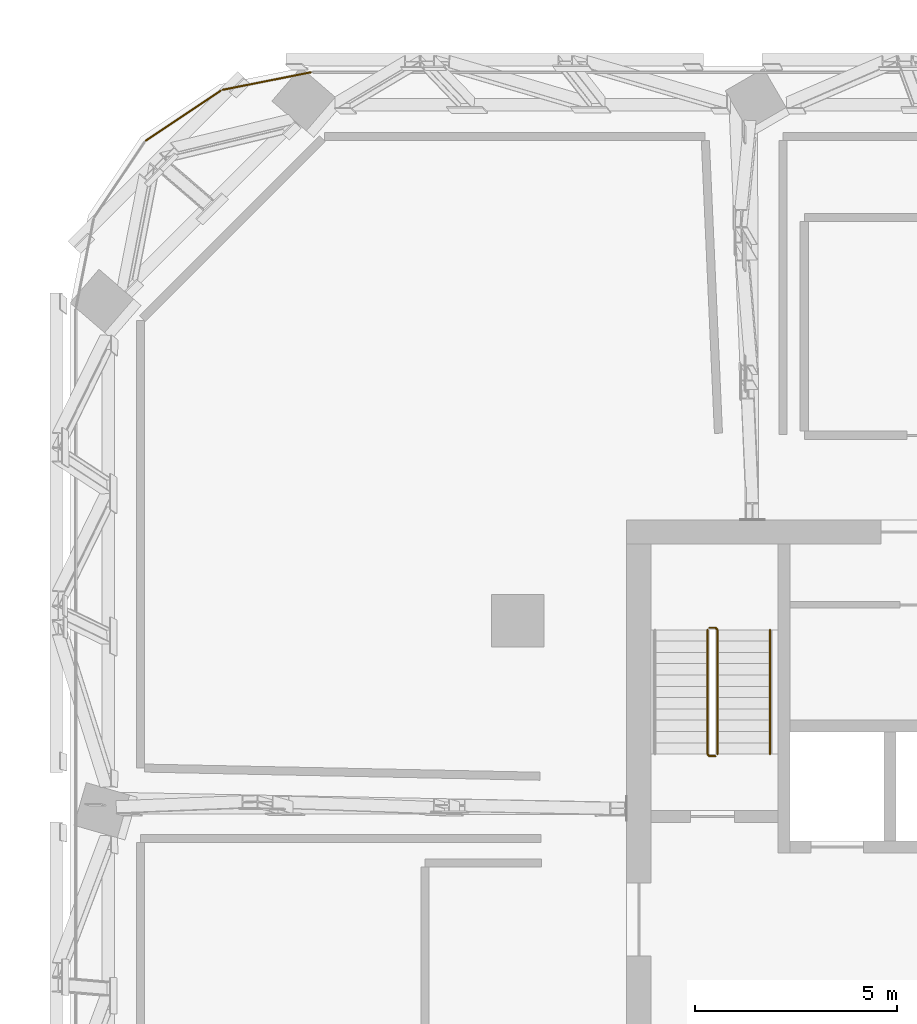
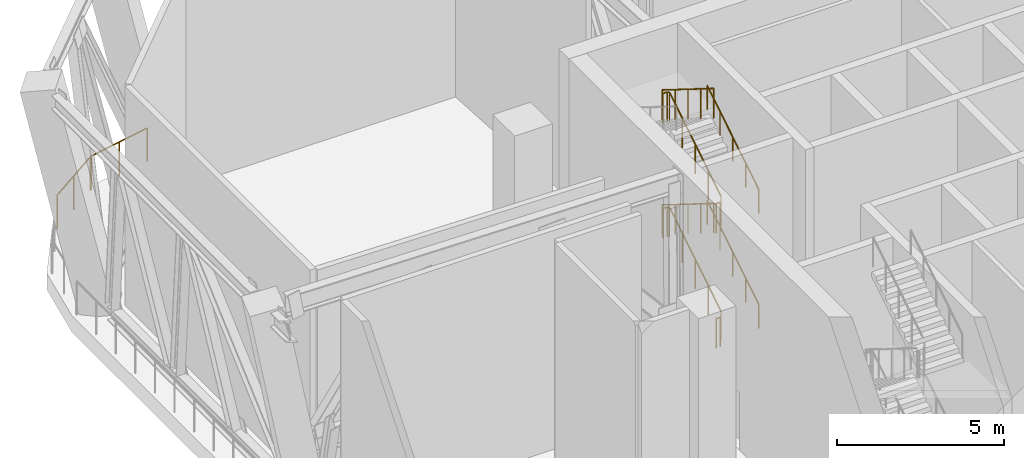
# One storey, part 22 of 24: 9 railings.
"""IFC4 building model written with IfcOpenShell, lengths in metres."""

from ifc_helpers import new_model, si_unit, direction, frame, origin, origin_2d, place, context, subcontext, project, spatial, circle, extrude, material, type_object, element, save


model = new_model("IFC4")

# Units and contexts
model_context = context("Model", 3, precision=1e-05, world=origin(), true_north=direction((0.0, 1.0)))
body_context = subcontext(model_context, "Body", "Model", "MODEL_VIEW")
ifc_project = project(units=[si_unit("LENGTHUNIT", "METRE"), si_unit("AREAUNIT", "SQUARE_METRE"), si_unit("VOLUMEUNIT", "CUBIC_METRE"), si_unit("PLANEANGLEUNIT", "RADIAN"), si_unit("MASSUNIT", "GRAM", prefix="KILO")], contexts=[model_context])

# Site, building, storey
site_placement = place(None, origin())
site = spatial("IfcSite", under=ifc_project, at=site_placement, CompositionType="ELEMENT")
building_placement = place(site_placement, origin())
building = spatial("IfcBuilding", under=site, at=building_placement, Name="Mopane Tessera Tower", CompositionType="ELEMENT")
storey_placement = place(building_placement, frame((0.0, 0.0, 259.0)))
storey = spatial("IfcBuildingStorey", under=building, at=storey_placement, Name="L56", CompositionType="ELEMENT", Elevation=259.0)

# Railings
ifc_material_1 = material(Name="Powder-coated steel balustrade", Category="steel")
railing_type_1 = type_object("IfcRailingType", Name="Escape stair guard 1100 mm", PredefinedType="GUARDRAIL", material=ifc_material_1)
railing_1_placement = place(storey_placement, frame((-12.14990234375, 7.699951171875, 0.175048828125)))
element("IfcRailing", 1, at=railing_1_placement, inside=storey, type_object=railing_type_1, Name="L56 ST2 stair guard 1", PredefinedType="GUARDRAIL", context=body_context, shape_type="SweptSolid", body=[
    extrude(circle(Radius=0.02392578125, at=origin_2d()), frame((0.0, 0.0, 1.076171875), z_axis=(0.0, 0.847998304005, 0.529998940003), x_axis=(-1.0, 0.0, 0.0)), (0.0, 0.0, 1.0), 3.632080078125),
    extrude(circle(Radius=0.02392578125, at=origin_2d()), frame((0.0, 3.080078125, 3.0009765625), z_axis=(-0.707106781187, 0.707106781187, 0.0), x_axis=(-0.707106781187, -0.707106781187, 0.0)), (0.0, 0.0, 1.0), 0.07080078125),
    extrude(circle(Radius=0.02392578125, at=origin_2d()), frame((-0.050048828125, 3.130126953125, 3.0009765625), z_axis=(-1.0, 0.0, 0.0), x_axis=(0.0, -1.0, 0.0)), (0.0, 0.0, 1.0), 0.150146484375),
    extrude(circle(Radius=0.02099609375, at=origin_2d()), origin(), (0.0, 0.0, 1.0), 1.052001953125),
    extrude(circle(Radius=0.02099609375, at=origin_2d()), frame((0.0, 0.77001953125, 0.481201171875)), (0.0, 0.0, 1.0), 1.052001953125),
    extrude(circle(Radius=0.02099609375, at=origin_2d()), frame((0.0, 1.5400390625, 0.96240234375)), (0.0, 0.0, 1.0), 1.052001953125),
    extrude(circle(Radius=0.02099609375, at=origin_2d()), frame((0.0, 2.31005859375, 1.44384765625)), (0.0, 0.0, 1.0), 1.052001953125),
    extrude(circle(Radius=0.02099609375, at=origin_2d()), frame((0.0, 3.080078125, 1.925048828125)), (0.0, 0.0, 1.0), 1.052001953125),
    extrude(circle(Radius=0.02099609375, at=origin_2d()), frame((-0.050048828125, 3.130126953125, 1.925048828125)), (0.0, 0.0, 1.0), 1.052001953125),
    extrude(circle(Radius=0.02099609375, at=origin_2d()), frame((-0.2001953125, 3.130126953125, 1.925048828125)), (0.0, 0.0, 1.0), 1.052001953125),
])
railing_2_placement = place(storey_placement, frame((-12.39990234375, 10.780029296875, 2.27490234375)))
element("IfcRailing", 2, at=railing_2_placement, inside=storey, type_object=railing_type_1, Name="L56 ST2 stair guard 2", PredefinedType="GUARDRAIL", context=body_context, shape_type="SweptSolid", body=[
    extrude(circle(Radius=0.02392578125, at=origin_2d()), frame((0.0, 0.0, 1.076171875), z_axis=(0.0, -0.847998304005, 0.529998940003), x_axis=(1.0, 0.0, 0.0)), (0.0, 0.0, 1.0), 3.632080078125),
    extrude(circle(Radius=0.02392578125, at=origin_2d()), frame((0.0, -3.080078125, 3.0009765625), z_axis=(0.705375805398, -0.708833529934, 0.0), x_axis=(0.708833529934, 0.705375805398, 0.0)), (0.0, 0.0, 1.0), 0.070556640625),
    extrude(circle(Radius=0.02392578125, at=origin_2d()), frame((0.0498046875, -3.130126953125, 3.0009765625), z_axis=(1.0, 0.0, 0.0), x_axis=(0.0, 1.0, 0.0)), (0.0, 0.0, 1.0), 0.150146484375),
    extrude(circle(Radius=0.02099609375, at=origin_2d()), origin(), (0.0, 0.0, 1.0), 1.052001953125),
    extrude(circle(Radius=0.02099609375, at=origin_2d()), frame((0.0, -0.77001953125, 0.481201171875)), (0.0, 0.0, 1.0), 1.052001953125),
    extrude(circle(Radius=0.02099609375, at=origin_2d()), frame((0.0, -1.5400390625, 0.96240234375)), (0.0, 0.0, 1.0), 1.052001953125),
    extrude(circle(Radius=0.02099609375, at=origin_2d()), frame((0.0, -2.31005859375, 1.44384765625)), (0.0, 0.0, 1.0), 1.052001953125),
    extrude(circle(Radius=0.02099609375, at=origin_2d()), frame((0.0, -3.080078125, 1.925048828125)), (0.0, 0.0, 1.0), 1.052001953125),
    extrude(circle(Radius=0.02099609375, at=origin_2d()), frame((0.0498046875, -3.130126953125, 1.925048828125)), (0.0, 0.0, 1.0), 1.052001953125),
    extrude(circle(Radius=0.02099609375, at=origin_2d()), frame((0.199951171875, -3.130126953125, 1.925048828125)), (0.0, 0.0, 1.0), 1.052001953125),
])
railing_3_placement = place(storey_placement, frame((-12.14990234375, 7.699951171875, 4.375)))
element("IfcRailing", 3, at=railing_3_placement, inside=storey, type_object=railing_type_1, Name="L56 ST2 stair guard 3", PredefinedType="GUARDRAIL", context=body_context, shape_type="SweptSolid", body=[
    extrude(circle(Radius=0.02392578125, at=origin_2d()), frame((0.0, 0.0, 1.076171875), z_axis=(0.0, 0.847998304005, 0.529998940003), x_axis=(-1.0, 0.0, 0.0)), (0.0, 0.0, 1.0), 3.632080078125),
    extrude(circle(Radius=0.02392578125, at=origin_2d()), frame((0.0, 3.080078125, 3.0009765625), z_axis=(-0.707106781187, 0.707106781187, 0.0), x_axis=(-0.707106781187, -0.707106781187, 0.0)), (0.0, 0.0, 1.0), 0.07080078125),
    extrude(circle(Radius=0.02392578125, at=origin_2d()), frame((-0.050048828125, 3.130126953125, 3.0009765625), z_axis=(-1.0, 0.0, 0.0), x_axis=(0.0, -1.0, 0.0)), (0.0, 0.0, 1.0), 0.150146484375),
    extrude(circle(Radius=0.02099609375, at=origin_2d()), origin(), (0.0, 0.0, 1.0), 1.052001953125),
    extrude(circle(Radius=0.02099609375, at=origin_2d()), frame((0.0, 0.77001953125, 0.481201171875)), (0.0, 0.0, 1.0), 1.052001953125),
    extrude(circle(Radius=0.02099609375, at=origin_2d()), frame((0.0, 1.5400390625, 0.96240234375)), (0.0, 0.0, 1.0), 1.052001953125),
    extrude(circle(Radius=0.02099609375, at=origin_2d()), frame((0.0, 2.31005859375, 1.44384765625)), (0.0, 0.0, 1.0), 1.052001953125),
    extrude(circle(Radius=0.02099609375, at=origin_2d()), frame((0.0, 3.080078125, 1.925048828125)), (0.0, 0.0, 1.0), 1.052001953125),
    extrude(circle(Radius=0.02099609375, at=origin_2d()), frame((-0.050048828125, 3.130126953125, 1.925048828125)), (0.0, 0.0, 1.0), 1.052001953125),
    extrude(circle(Radius=0.02099609375, at=origin_2d()), frame((-0.2001953125, 3.130126953125, 1.925048828125)), (0.0, 0.0, 1.0), 1.052001953125),
])
railing_4_placement = place(storey_placement, frame((-12.39990234375, 10.780029296875, 6.47509765625)))
element("IfcRailing", 4, at=railing_4_placement, inside=storey, type_object=railing_type_1, Name="L56 ST2 stair guard 4", PredefinedType="GUARDRAIL", context=body_context, shape_type="SweptSolid", body=[
    extrude(circle(Radius=0.02392578125, at=origin_2d()), frame((0.0, 0.0, 1.076171875), z_axis=(0.0, -0.848028513186, 0.529950602248), x_axis=(1.0, 0.0, 0.0)), (0.0, 0.0, 1.0), 3.632080078125),
    extrude(circle(Radius=0.02099609375, at=origin_2d()), origin(), (0.0, 0.0, 1.0), 1.052001953125),
    extrude(circle(Radius=0.02099609375, at=origin_2d()), frame((0.0, -0.77001953125, 0.481201171875)), (0.0, 0.0, 1.0), 1.052001953125),
    extrude(circle(Radius=0.02099609375, at=origin_2d()), frame((0.0, -1.5400390625, 0.96240234375)), (0.0, 0.0, 1.0), 1.052001953125),
    extrude(circle(Radius=0.02099609375, at=origin_2d()), frame((0.0, -2.31005859375, 1.443603515625)), (0.0, 0.0, 1.0), 1.052001953125),
    extrude(circle(Radius=0.02099609375, at=origin_2d()), frame((0.0, -3.080078125, 1.9248046875)), (0.0, 0.0, 1.0), 1.052001953125),
])
railing_5_placement = place(storey_placement, frame((-12.199951171875, 7.64990234375, 0.0)))
element("IfcRailing", 5, at=railing_5_placement, inside=storey, type_object=railing_type_1, Name="L56 ST2 stair guard 5", PredefinedType="GUARDRAIL", context=body_context, shape_type="SweptSolid", body=[
    extrude(circle(Radius=0.02392578125, at=origin_2d()), frame((0.0, 0.0, 1.076171875), z_axis=(-1.0, 0.0, 0.0), x_axis=(0.0, -1.0, 0.0)), (0.0, 0.0, 1.0), 0.150146484375),
    extrude(circle(Radius=0.02099609375, at=origin_2d()), origin(), (0.0, 0.0, 1.0), 1.052001953125),
    extrude(circle(Radius=0.02099609375, at=origin_2d()), frame((-0.150146484375, 0.0, 0.0)), (0.0, 0.0, 1.0), 1.052001953125),
])
ifc_material_2 = material(Name="Powder-coated steel balustrade", Category="steel")
railing_type_2 = type_object("IfcRailingType", Name="Escape stair handrail 900 mm", PredefinedType="HANDRAIL", material=ifc_material_2)
for number, where, name in (
    (6, (-10.85009765625, 7.699951171875, 0.175048828125), "L56 ST2 stair handrail 1"),
    (7, (-10.85009765625, 7.699951171875, 4.375), "L56 ST2 stair handrail 3"),
):
    element("IfcRailing", number, at=place(storey_placement, frame(where)), inside=storey, type_object=railing_type_2, Name=name, PredefinedType="HANDRAIL", context=body_context, shape_type="SweptSolid", body=[
        extrude(circle(Radius=0.02392578125, at=origin_2d()), frame((0.0, 0.0, 0.8759765625), z_axis=(0.0, 0.847998304005, 0.529998940003), x_axis=(-1.0, 0.0, 0.0)), (0.0, 0.0, 1.0), 3.632080078125),
        extrude(circle(Radius=0.02099609375, at=origin_2d()), origin(), (0.0, 0.0, 1.0), 0.851806640625),
        extrude(circle(Radius=0.02099609375, at=origin_2d()), frame((0.0, 0.77001953125, 0.481201171875)), (0.0, 0.0, 1.0), 0.851806640625),
        extrude(circle(Radius=0.02099609375, at=origin_2d()), frame((0.0, 1.5400390625, 0.96240234375)), (0.0, 0.0, 1.0), 0.851806640625),
        extrude(circle(Radius=0.02099609375, at=origin_2d()), frame((0.0, 2.31005859375, 1.44384765625)), (0.0, 0.0, 1.0), 0.851806640625),
        extrude(circle(Radius=0.02099609375, at=origin_2d()), frame((0.0, 3.080078125, 1.925048828125)), (0.0, 0.0, 1.0), 0.851806640625),
    ])
ifc_material_3 = material(Name="Stainless steel S316", Category="steel")
railing_type_3 = type_object("IfcRailingType", Name="Wind floor guard 1250", PredefinedType="GUARDRAIL", material=ifc_material_3)
railing_6_placement = place(storey_placement, frame((-22.2294921875, 24.59423828125, 0.0)))
element("IfcRailing", 8, at=railing_6_placement, inside=storey, type_object=railing_type_3, Name="e:og:L56:11", PredefinedType="GUARDRAIL", context=body_context, shape_type="SweptSolid", body=[
    extrude(circle(Radius=0.02392578125, at=origin_2d()), frame((0.0, 0.0, 1.22607421875), z_axis=(-0.980782960085, -0.195101986683, 0.0), x_axis=(0.195101986683, -0.980782960085, 0.0)), (0.0, 0.0, 1.0), 2.222412109375),
    extrude(circle(Radius=0.02099609375, at=origin_2d()), origin(), (0.0, 0.0, 1.0), 1.201904296875),
    extrude(circle(Radius=0.02099609375, at=origin_2d()), frame((-1.08984375, -0.216796875, 0.0)), (0.0, 0.0, 1.0), 1.201904296875),
    extrude(circle(Radius=0.02099609375, at=origin_2d()), frame((-2.1796875, -0.43359375, 0.0)), (0.0, 0.0, 1.0), 1.201904296875),
])
railing_7_placement = place(storey_placement, frame((-24.463623046875, 24.137939453125, 0.0)))
element("IfcRailing", 9, at=railing_7_placement, inside=storey, type_object=railing_type_3, Name="e:og:L56:12", PredefinedType="GUARDRAIL", context=body_context, shape_type="SweptSolid", body=[
    extrude(circle(Radius=0.02392578125, at=origin_2d()), frame((0.0, 0.0, 1.22607421875), z_axis=(-0.831492148611, -0.55553650357, 0.0), x_axis=(0.55553650357, -0.831492148611, 0.0)), (0.0, 0.0, 1.0), 2.222412109375),
    extrude(circle(Radius=0.02099609375, at=origin_2d()), origin(), (0.0, 0.0, 1.0), 1.201904296875),
    extrude(circle(Radius=0.02099609375, at=origin_2d()), frame((-0.923828125, -0.6171875, 0.0)), (0.0, 0.0, 1.0), 1.201904296875),
    extrude(circle(Radius=0.02099609375, at=origin_2d()), frame((-1.847900390625, -1.234619140625, 0.0)), (0.0, 0.0, 1.0), 1.201904296875),
])

save(model, "model.ifc")
